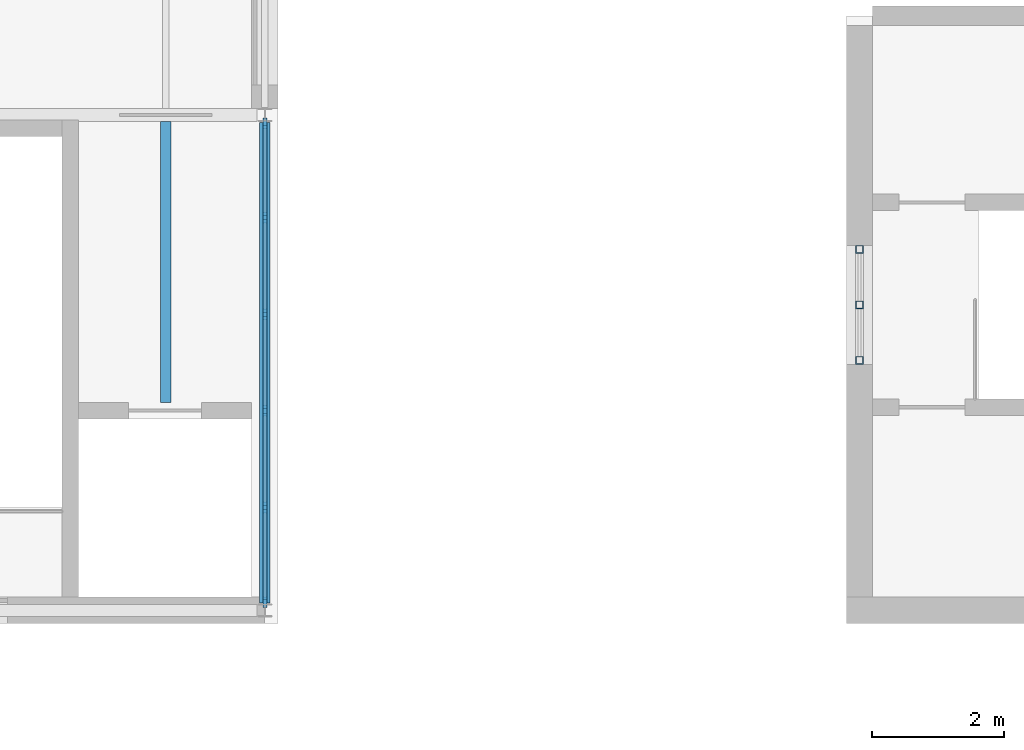
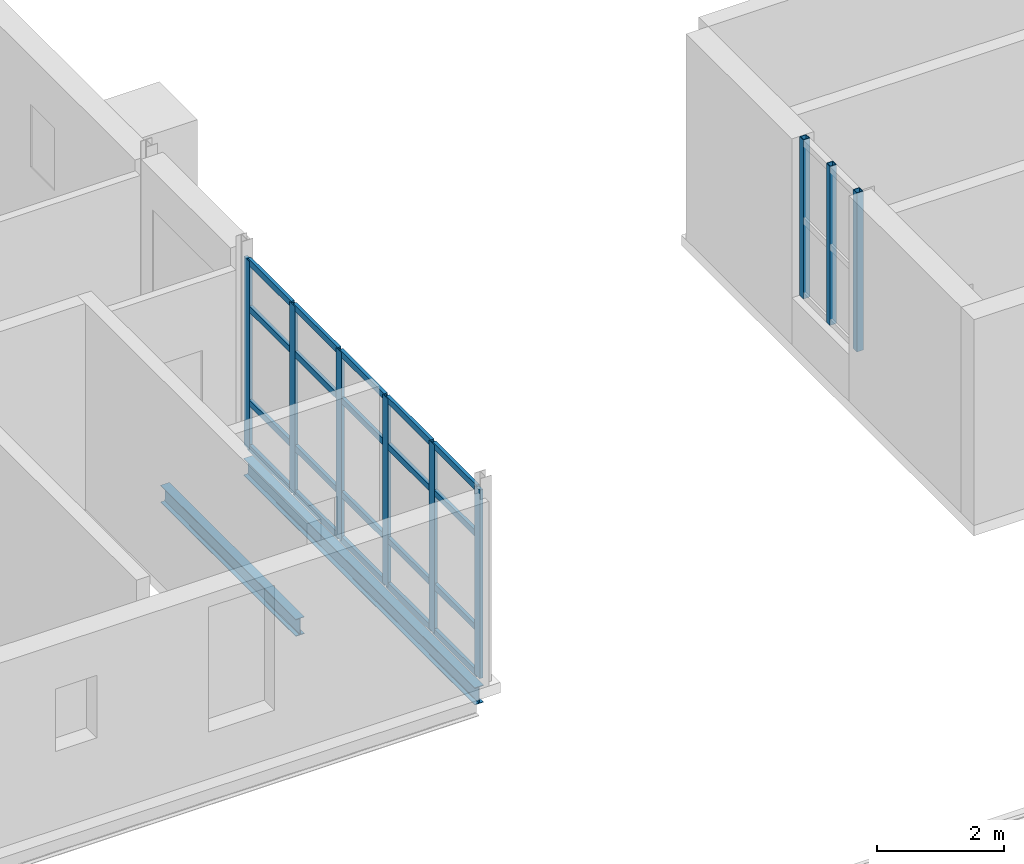
# One storey, part 50 of 121: 29 members, 2 beams, 2 elements without a shape of their own.
"""IFC4 building model written with IfcOpenShell, lengths in metres."""

from ifc_helpers import new_model, si_unit, direction, frame, origin, origin_2d, place, context, subcontext, project, spatial, rectangle, hollow_rectangle, i_section, extrude, material, layer, layer_set, material_profile, profile_set, type_object, element, aggregate, save


model = new_model("IFC4")

# Units and contexts
model_context = context("Model", 3, precision=1e-05, world=origin(), true_north=direction((0.0, 1.0)))
body_context = subcontext(model_context, "Body", "Model", "MODEL_VIEW")
ifc_project = project(units=[si_unit("LENGTHUNIT", "METRE"), si_unit("AREAUNIT", "SQUARE_METRE"), si_unit("VOLUMEUNIT", "CUBIC_METRE"), si_unit("PLANEANGLEUNIT", "RADIAN"), si_unit("MASSUNIT", "GRAM", prefix="KILO")], contexts=[model_context])

# Site, building, storey
site_placement = place(None, origin())
site = spatial("IfcSite", under=ifc_project, at=site_placement, CompositionType="ELEMENT")
building_placement = place(site_placement, origin())
building = spatial("IfcBuilding", under=site, at=building_placement, Name="Golden Quay Civic Hall", CompositionType="ELEMENT")
storey_placement = place(building_placement, frame((0.0, 0.0, 18.60009765625)))
storey = spatial("IfcBuildingStorey", under=building, at=storey_placement, Name="L04", CompositionType="ELEMENT", Elevation=18.60009765625)

# Curtain wall, members
ifc_material_1 = material(Name="Glass, laminated double glazed", Category="glass")
ifc_layer = layer(ifc_material_1, 0.199951171875)
ifc_layer_set = layer_set([ifc_layer], Name="Glazed core strip curtain wall")
curtain_wall_type_1 = type_object("IfcCurtainWallType", Name="Glazed core strip curtain wall", PredefinedType="NOTDEFINED", material=ifc_layer_set)
curtain_wall_1_placement = place(storey_placement, origin())
curtain_wall_1 = element("IfcCurtainWall", 1, at=curtain_wall_1_placement, inside=storey, type_object=curtain_wall_type_1, Name="Glazed core strip curtain wall L04 2", PredefinedType="NOTDEFINED")
ifc_material_2 = material(Name="Aluminium, anodised", Category="aluminium")
ifc_material_profile_1 = material_profile(ifc_material_2, rectangle(XDim=0.06005859375, YDim=0.159912109375, at=origin_2d()), Name="Aluminium 60 x 160")
ifc_profile_set_1 = profile_set([ifc_material_profile_1], Name="Aluminium, anodised")
member_type_1 = type_object("IfcMemberType", Name="Aluminium mullion 60 x 160", PredefinedType="MULLION", material=ifc_profile_set_1)
member_1_placement = place(storey_placement, frame((54.0, 70.375, 0.0), z_axis=(0.0, 0.0, 1.0), x_axis=(1.0, 0.0, 0.0)))
member_1 = element("IfcMember", 2, at=member_1_placement, type_object=member_type_1, Name="CW2 mullion 1", PredefinedType="MULLION", context=body_context, shape_type="SweptSolid", body=[
    extrude(rectangle(XDim=0.06005859375, YDim=0.159912109375, at=origin_2d()), origin(), (0.0, 0.0, 1.0), 3.619873046875),
])
member_2_placement = place(storey_placement, frame((54.0, 68.943115234375, 0.0), z_axis=(0.0, 0.0, 1.0), x_axis=(1.0, 0.0, 0.0)))
member_2 = element("IfcMember", 3, at=member_2_placement, type_object=member_type_1, Name="CW2 mullion 2", PredefinedType="MULLION", context=body_context, shape_type="SweptSolid", body=[
    extrude(rectangle(XDim=0.06005859375, YDim=0.159912109375, at=origin_2d()), origin(), (0.0, 0.0, 1.0), 3.619873046875),
])
member_3_placement = place(storey_placement, frame((54.0, 67.48095703125, 0.0), z_axis=(0.0, 0.0, 1.0), x_axis=(1.0, 0.0, 0.0)))
member_3 = element("IfcMember", 4, at=member_3_placement, type_object=member_type_1, Name="CW2 mullion 3", PredefinedType="MULLION", context=body_context, shape_type="SweptSolid", body=[
    extrude(rectangle(XDim=0.06005859375, YDim=0.159912109375, at=origin_2d()), origin(), (0.0, 0.0, 1.0), 3.619873046875),
])
member_4_placement = place(storey_placement, frame((54.0, 66.01904296875, 0.0), z_axis=(0.0, 0.0, 1.0), x_axis=(1.0, 0.0, 0.0)))
member_4 = element("IfcMember", 5, at=member_4_placement, type_object=member_type_1, Name="CW2 mullion 4", PredefinedType="MULLION", context=body_context, shape_type="SweptSolid", body=[
    extrude(rectangle(XDim=0.06005859375, YDim=0.159912109375, at=origin_2d()), origin(), (0.0, 0.0, 1.0), 3.619873046875),
])
member_5_placement = place(storey_placement, frame((54.0, 64.556884765625, 0.0), z_axis=(0.0, 0.0, 1.0), x_axis=(1.0, 0.0, 0.0)))
member_5 = element("IfcMember", 6, at=member_5_placement, type_object=member_type_1, Name="CW2 mullion 5", PredefinedType="MULLION", context=body_context, shape_type="SweptSolid", body=[
    extrude(rectangle(XDim=0.06005859375, YDim=0.159912109375, at=origin_2d()), origin(), (0.0, 0.0, 1.0), 3.619873046875),
])
member_6_placement = place(storey_placement, frame((54.0, 63.125, 0.0), z_axis=(0.0, 0.0, 1.0), x_axis=(1.0, 0.0, 0.0)))
member_6 = element("IfcMember", 7, at=member_6_placement, type_object=member_type_1, Name="CW2 mullion 6", PredefinedType="MULLION", context=body_context, shape_type="SweptSolid", body=[
    extrude(rectangle(XDim=0.06005859375, YDim=0.159912109375, at=origin_2d()), origin(), (0.0, 0.0, 1.0), 3.619873046875),
])
ifc_material_3 = material(Name="Aluminium, anodised", Category="aluminium")
ifc_material_profile_2 = material_profile(ifc_material_3, rectangle(XDim=0.06005859375, YDim=0.1201171875, at=origin_2d()), Name="Aluminium 60 x 120")
ifc_profile_set_2 = profile_set([ifc_material_profile_2], Name="Aluminium, anodised")
member_type_2 = type_object("IfcMemberType", Name="Aluminium transom 60 x 120", PredefinedType="USERDEFINED", material=ifc_profile_set_2)
member_7_placement = place(storey_placement, frame((54.0, 70.344970703125, 0.02978515625), z_axis=(0.0, -1.0, 0.0), x_axis=(1.0, 0.0, 0.0)))
member_7 = element("IfcMember", 8, at=member_7_placement, type_object=member_type_2, Name="CW2 transom 1.1", ObjectType="TRANSOM", PredefinedType="USERDEFINED", context=body_context, shape_type="SweptSolid", body=[
    extrude(rectangle(XDim=0.06005859375, YDim=0.1201171875, at=origin_2d()), origin(), (0.0, 0.0, 1.0), 1.3720703125),
])
member_8_placement = place(storey_placement, frame((54.0, 70.344970703125, 0.89990234375), z_axis=(0.0, -1.0, 0.0), x_axis=(1.0, 0.0, 0.0)))
member_8 = element("IfcMember", 9, at=member_8_placement, type_object=member_type_2, Name="CW2 transom 1.2", ObjectType="TRANSOM", PredefinedType="USERDEFINED", context=body_context, shape_type="SweptSolid", body=[
    extrude(rectangle(XDim=0.06005859375, YDim=0.1201171875, at=origin_2d()), origin(), (0.0, 0.0, 1.0), 1.3720703125),
])
member_9_placement = place(storey_placement, frame((54.0, 70.344970703125, 2.699951171875), z_axis=(0.0, -1.0, 0.0), x_axis=(1.0, 0.0, 0.0)))
member_9 = element("IfcMember", 10, at=member_9_placement, type_object=member_type_2, Name="CW2 transom 1.3", ObjectType="TRANSOM", PredefinedType="USERDEFINED", context=body_context, shape_type="SweptSolid", body=[
    extrude(rectangle(XDim=0.06005859375, YDim=0.1201171875, at=origin_2d()), origin(), (0.0, 0.0, 1.0), 1.3720703125),
])
member_10_placement = place(storey_placement, frame((54.0, 70.344970703125, 3.58984375), z_axis=(0.0, -1.0, 0.0), x_axis=(1.0, 0.0, 0.0)))
member_10 = element("IfcMember", 11, at=member_10_placement, type_object=member_type_2, Name="CW2 transom 1.4", ObjectType="TRANSOM", PredefinedType="USERDEFINED", context=body_context, shape_type="SweptSolid", body=[
    extrude(rectangle(XDim=0.06005859375, YDim=0.1201171875, at=origin_2d()), origin(), (0.0, 0.0, 1.0), 1.3720703125),
])
member_11_placement = place(storey_placement, frame((54.0, 68.9130859375, 0.02978515625), z_axis=(0.0, -1.0, 0.0), x_axis=(1.0, 0.0, 0.0)))
member_11 = element("IfcMember", 12, at=member_11_placement, type_object=member_type_2, Name="CW2 transom 2.1", ObjectType="TRANSOM", PredefinedType="USERDEFINED", context=body_context, shape_type="SweptSolid", body=[
    extrude(rectangle(XDim=0.06005859375, YDim=0.1201171875, at=origin_2d()), origin(), (0.0, 0.0, 1.0), 1.402099609375),
])
member_12_placement = place(storey_placement, frame((54.0, 68.9130859375, 0.89990234375), z_axis=(0.0, -1.0, 0.0), x_axis=(1.0, 0.0, 0.0)))
member_12 = element("IfcMember", 13, at=member_12_placement, type_object=member_type_2, Name="CW2 transom 2.2", ObjectType="TRANSOM", PredefinedType="USERDEFINED", context=body_context, shape_type="SweptSolid", body=[
    extrude(rectangle(XDim=0.06005859375, YDim=0.1201171875, at=origin_2d()), origin(), (0.0, 0.0, 1.0), 1.402099609375),
])
member_13_placement = place(storey_placement, frame((54.0, 68.9130859375, 2.699951171875), z_axis=(0.0, -1.0, 0.0), x_axis=(1.0, 0.0, 0.0)))
member_13 = element("IfcMember", 14, at=member_13_placement, type_object=member_type_2, Name="CW2 transom 2.3", ObjectType="TRANSOM", PredefinedType="USERDEFINED", context=body_context, shape_type="SweptSolid", body=[
    extrude(rectangle(XDim=0.06005859375, YDim=0.1201171875, at=origin_2d()), origin(), (0.0, 0.0, 1.0), 1.402099609375),
])
member_14_placement = place(storey_placement, frame((54.0, 68.9130859375, 3.58984375), z_axis=(0.0, -1.0, 0.0), x_axis=(1.0, 0.0, 0.0)))
member_14 = element("IfcMember", 15, at=member_14_placement, type_object=member_type_2, Name="CW2 transom 2.4", ObjectType="TRANSOM", PredefinedType="USERDEFINED", context=body_context, shape_type="SweptSolid", body=[
    extrude(rectangle(XDim=0.06005859375, YDim=0.1201171875, at=origin_2d()), origin(), (0.0, 0.0, 1.0), 1.402099609375),
])
member_15_placement = place(storey_placement, frame((54.0, 67.450927734375, 0.02978515625), z_axis=(0.0, -1.0, 0.0), x_axis=(1.0, 0.0, 0.0)))
member_15 = element("IfcMember", 16, at=member_15_placement, type_object=member_type_2, Name="CW2 transom 3.1", ObjectType="TRANSOM", PredefinedType="USERDEFINED", context=body_context, shape_type="SweptSolid", body=[
    extrude(rectangle(XDim=0.06005859375, YDim=0.1201171875, at=origin_2d()), origin(), (0.0, 0.0, 1.0), 1.40185546875),
])
member_16_placement = place(storey_placement, frame((54.0, 67.450927734375, 0.89990234375), z_axis=(0.0, -1.0, 0.0), x_axis=(1.0, 0.0, 0.0)))
member_16 = element("IfcMember", 17, at=member_16_placement, type_object=member_type_2, Name="CW2 transom 3.2", ObjectType="TRANSOM", PredefinedType="USERDEFINED", context=body_context, shape_type="SweptSolid", body=[
    extrude(rectangle(XDim=0.06005859375, YDim=0.1201171875, at=origin_2d()), origin(), (0.0, 0.0, 1.0), 1.40185546875),
])
member_17_placement = place(storey_placement, frame((54.0, 67.450927734375, 2.699951171875), z_axis=(0.0, -1.0, 0.0), x_axis=(1.0, 0.0, 0.0)))
member_17 = element("IfcMember", 18, at=member_17_placement, type_object=member_type_2, Name="CW2 transom 3.3", ObjectType="TRANSOM", PredefinedType="USERDEFINED", context=body_context, shape_type="SweptSolid", body=[
    extrude(rectangle(XDim=0.06005859375, YDim=0.1201171875, at=origin_2d()), origin(), (0.0, 0.0, 1.0), 1.40185546875),
])
member_18_placement = place(storey_placement, frame((54.0, 67.450927734375, 3.58984375), z_axis=(0.0, -1.0, 0.0), x_axis=(1.0, 0.0, 0.0)))
member_18 = element("IfcMember", 19, at=member_18_placement, type_object=member_type_2, Name="CW2 transom 3.4", ObjectType="TRANSOM", PredefinedType="USERDEFINED", context=body_context, shape_type="SweptSolid", body=[
    extrude(rectangle(XDim=0.06005859375, YDim=0.1201171875, at=origin_2d()), origin(), (0.0, 0.0, 1.0), 1.40185546875),
])
member_19_placement = place(storey_placement, frame((54.0, 65.989013671875, 0.02978515625), z_axis=(0.0, -1.0, 0.0), x_axis=(1.0, 0.0, 0.0)))
member_19 = element("IfcMember", 20, at=member_19_placement, type_object=member_type_2, Name="CW2 transom 4.1", ObjectType="TRANSOM", PredefinedType="USERDEFINED", context=body_context, shape_type="SweptSolid", body=[
    extrude(rectangle(XDim=0.06005859375, YDim=0.1201171875, at=origin_2d()), origin(), (0.0, 0.0, 1.0), 1.402099609375),
])
member_20_placement = place(storey_placement, frame((54.0, 65.989013671875, 0.89990234375), z_axis=(0.0, -1.0, 0.0), x_axis=(1.0, 0.0, 0.0)))
member_20 = element("IfcMember", 21, at=member_20_placement, type_object=member_type_2, Name="CW2 transom 4.2", ObjectType="TRANSOM", PredefinedType="USERDEFINED", context=body_context, shape_type="SweptSolid", body=[
    extrude(rectangle(XDim=0.06005859375, YDim=0.1201171875, at=origin_2d()), origin(), (0.0, 0.0, 1.0), 1.402099609375),
])
member_21_placement = place(storey_placement, frame((54.0, 65.989013671875, 2.699951171875), z_axis=(0.0, -1.0, 0.0), x_axis=(1.0, 0.0, 0.0)))
member_21 = element("IfcMember", 22, at=member_21_placement, type_object=member_type_2, Name="CW2 transom 4.3", ObjectType="TRANSOM", PredefinedType="USERDEFINED", context=body_context, shape_type="SweptSolid", body=[
    extrude(rectangle(XDim=0.06005859375, YDim=0.1201171875, at=origin_2d()), origin(), (0.0, 0.0, 1.0), 1.402099609375),
])
member_22_placement = place(storey_placement, frame((54.0, 65.989013671875, 3.58984375), z_axis=(0.0, -1.0, 0.0), x_axis=(1.0, 0.0, 0.0)))
member_22 = element("IfcMember", 23, at=member_22_placement, type_object=member_type_2, Name="CW2 transom 4.4", ObjectType="TRANSOM", PredefinedType="USERDEFINED", context=body_context, shape_type="SweptSolid", body=[
    extrude(rectangle(XDim=0.06005859375, YDim=0.1201171875, at=origin_2d()), origin(), (0.0, 0.0, 1.0), 1.402099609375),
])
member_23_placement = place(storey_placement, frame((54.0, 64.527099609375, 0.02978515625), z_axis=(0.0, -1.0, 0.0), x_axis=(1.0, 0.0, 0.0)))
member_23 = element("IfcMember", 24, at=member_23_placement, type_object=member_type_2, Name="CW2 transom 5.1", ObjectType="TRANSOM", PredefinedType="USERDEFINED", context=body_context, shape_type="SweptSolid", body=[
    extrude(rectangle(XDim=0.06005859375, YDim=0.1201171875, at=origin_2d()), origin(), (0.0, 0.0, 1.0), 1.3720703125),
])
member_24_placement = place(storey_placement, frame((54.0, 64.527099609375, 0.89990234375), z_axis=(0.0, -1.0, 0.0), x_axis=(1.0, 0.0, 0.0)))
member_24 = element("IfcMember", 25, at=member_24_placement, type_object=member_type_2, Name="CW2 transom 5.2", ObjectType="TRANSOM", PredefinedType="USERDEFINED", context=body_context, shape_type="SweptSolid", body=[
    extrude(rectangle(XDim=0.06005859375, YDim=0.1201171875, at=origin_2d()), origin(), (0.0, 0.0, 1.0), 1.3720703125),
])
member_25_placement = place(storey_placement, frame((54.0, 64.527099609375, 2.699951171875), z_axis=(0.0, -1.0, 0.0), x_axis=(1.0, 0.0, 0.0)))
member_25 = element("IfcMember", 26, at=member_25_placement, type_object=member_type_2, Name="CW2 transom 5.3", ObjectType="TRANSOM", PredefinedType="USERDEFINED", context=body_context, shape_type="SweptSolid", body=[
    extrude(rectangle(XDim=0.06005859375, YDim=0.1201171875, at=origin_2d()), origin(), (0.0, 0.0, 1.0), 1.3720703125),
])
member_26_placement = place(storey_placement, frame((54.0, 64.527099609375, 3.58984375), z_axis=(0.0, -1.0, 0.0), x_axis=(1.0, 0.0, 0.0)))
member_26 = element("IfcMember", 27, at=member_26_placement, type_object=member_type_2, Name="CW2 transom 5.4", ObjectType="TRANSOM", PredefinedType="USERDEFINED", context=body_context, shape_type="SweptSolid", body=[
    extrude(rectangle(XDim=0.06005859375, YDim=0.1201171875, at=origin_2d()), origin(), (0.0, 0.0, 1.0), 1.3720703125),
])
aggregate(curtain_wall_1, [member_1, member_2, member_3, member_4, member_5, member_6, member_7, member_8, member_9, member_10, member_11, member_12, member_13, member_14, member_15, member_16, member_17, member_18, member_19, member_20, member_21, member_22, member_23, member_24, member_25, member_26])

ifc_material_4 = material(Name="Fire-resisting glass and steel", Category="steel")
curtain_wall_type_2 = type_object("IfcCurtainWallType", Name="Fire-resisting glazed stair curtain wall EI 120", PredefinedType="NOTDEFINED", material=ifc_material_4)
curtain_wall_2_placement = place(storey_placement, origin())
curtain_wall_2 = element("IfcCurtainWall", 28, at=curtain_wall_2_placement, inside=storey, type_object=curtain_wall_type_2, Name="CW4 stair curtain wall", PredefinedType="NOTDEFINED")
ifc_material_5 = material(Name="Steel S355", Category="steel")
ifc_material_profile_3 = material_profile(ifc_material_5, hollow_rectangle(XDim=0.1201171875, YDim=0.1201171875, WallThickness=0.012451171875, at=origin_2d()), Name="SHS 120x120x12.5")
ifc_profile_set_3 = profile_set([ifc_material_profile_3], Name="Steel S355")
member_type_3 = type_object("IfcMemberType", Name="Fire-resisting steel stair mullion 120 x 120", PredefinedType="MULLION", material=ifc_profile_set_3)
member_27_placement = place(storey_placement, frame((63.0, 66.784912109375, 0.89990234375), z_axis=(0.0, 0.0, 1.0), x_axis=(-1.0, 0.0, 0.0)))
member_27 = element("IfcMember", 29, at=member_27_placement, type_object=member_type_3, Name="CW4 mullion 1", PredefinedType="MULLION", context=body_context, shape_type="SweptSolid", body=[
    extrude(hollow_rectangle(XDim=0.1201171875, YDim=0.1201171875, WallThickness=0.012451171875, at=origin_2d()), origin(), (0.0, 0.0, 1.0), 3.050048828125),
])
member_28_placement = place(storey_placement, frame((63.0, 67.625, 0.89990234375), z_axis=(0.0, 0.0, 1.0), x_axis=(-1.0, 0.0, 0.0)))
member_28 = element("IfcMember", 30, at=member_28_placement, type_object=member_type_3, Name="CW4 mullion 2", PredefinedType="MULLION", context=body_context, shape_type="SweptSolid", body=[
    extrude(hollow_rectangle(XDim=0.1201171875, YDim=0.1201171875, WallThickness=0.012451171875, at=origin_2d()), origin(), (0.0, 0.0, 1.0), 3.050048828125),
])
member_29_placement = place(storey_placement, frame((63.0, 68.465087890625, 0.89990234375), z_axis=(0.0, 0.0, 1.0), x_axis=(-1.0, 0.0, 0.0)))
member_29 = element("IfcMember", 31, at=member_29_placement, type_object=member_type_3, Name="CW4 mullion 3", PredefinedType="MULLION", context=body_context, shape_type="SweptSolid", body=[
    extrude(hollow_rectangle(XDim=0.1201171875, YDim=0.1201171875, WallThickness=0.012451171875, at=origin_2d()), origin(), (0.0, 0.0, 1.0), 3.050048828125),
])
aggregate(curtain_wall_2, [member_27, member_28, member_29])

# Beams
ifc_material_6 = material(Name="Steel S355", Category="steel")
ifc_material_profile_4 = material_profile(ifc_material_6, i_section(OverallWidth=0.159912109375, OverallDepth=0.330078125, WebThickness=0.007568359375, FlangeThickness=0.011474609375, FilletRadius=0.01806640625, at=origin_2d()), Name="IPE 330")
ifc_profile_set_4 = profile_set([ifc_material_profile_4], Name="Steel S355")
beam_type_1 = type_object("IfcBeamType", Name="Steel beam IPE 330", PredefinedType="BEAM", material=ifc_profile_set_4)
beam_1_placement = place(storey_placement, frame((54.0, 63.114990234375, -0.364990234375), z_axis=(0.0, 1.0, 0.0), x_axis=(-1.0, 0.0, 0.0)))
element("IfcBeam", 32, at=beam_1_placement, inside=storey, type_object=beam_type_1, Name="Beam S54-63", PredefinedType="BEAM", context=body_context, shape_type="SweptSolid", body=[
    extrude(i_section(OverallWidth=0.159912109375, OverallDepth=0.330078125, WebThickness=0.007568359375, FlangeThickness=0.011474609375, FilletRadius=0.01806640625, at=origin_2d()), origin(), (0.0, 0.0, 1.0), 7.27001953125),
])
ifc_material_7 = material(Name="Steel S355", Category="steel")
ifc_material_profile_5 = material_profile(ifc_material_7, i_section(OverallWidth=0.159912109375, OverallDepth=0.330078125, WebThickness=0.007568359375, FlangeThickness=0.011474609375, FilletRadius=0.01806640625, at=origin_2d()), Name="IPE 330")
ifc_profile_set_5 = profile_set([ifc_material_profile_5], Name="Steel S355")
beam_type_2 = type_object("IfcBeamType", Name="Steel joist IPE 330", PredefinedType="JOIST", material=ifc_profile_set_5)
beam_2_placement = place(storey_placement, frame((52.5, 66.14990234375, -0.364990234375), z_axis=(0.0, 1.0, 0.0), x_axis=(-1.0, 0.0, 0.0)))
element("IfcBeam", 33, at=beam_2_placement, inside=storey, type_object=beam_type_2, Name="Joist J52.5-63-1", PredefinedType="JOIST", context=body_context, shape_type="SweptSolid", body=[
    extrude(i_section(OverallWidth=0.159912109375, OverallDepth=0.330078125, WebThickness=0.007568359375, FlangeThickness=0.011474609375, FilletRadius=0.01806640625, at=origin_2d()), origin(), (0.0, 0.0, 1.0), 4.25),
])

save(model, "model.ifc")
